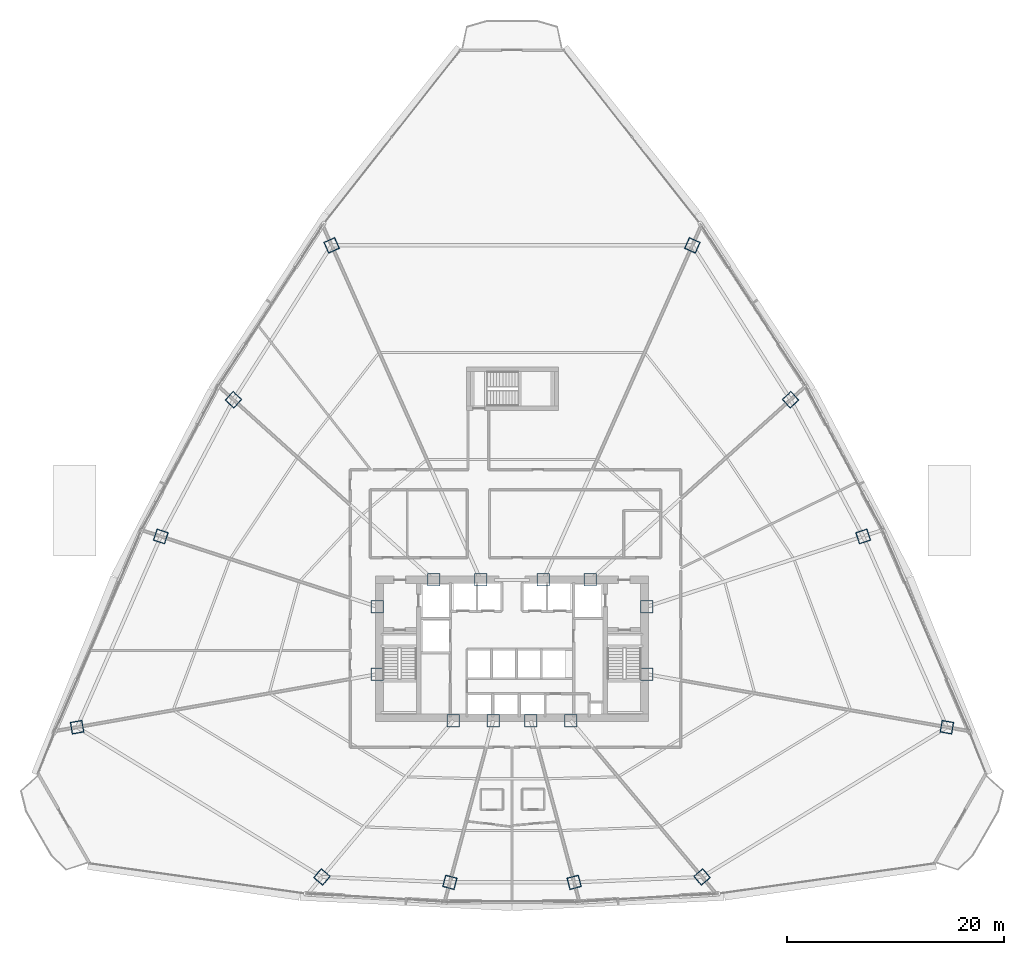
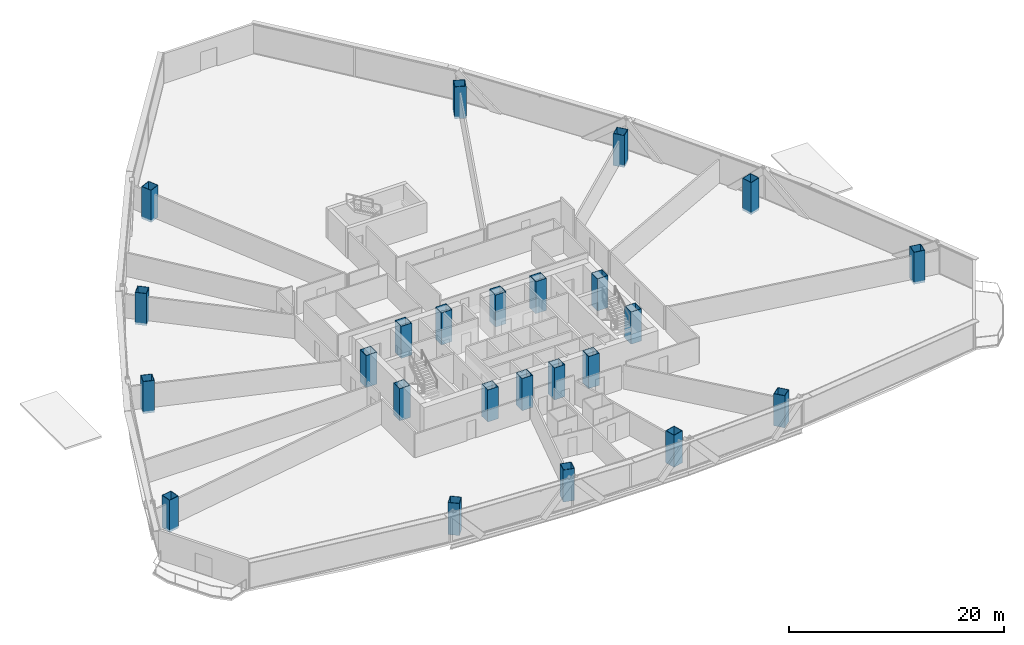
# One storey, part 1 of 38: 24 columns.
"""IFC4 building model written with IfcOpenShell, lengths in metres."""

from ifc_helpers import new_model, si_unit, direction, frame, origin, origin_2d, place, context, subcontext, project, spatial, hollow_rectangle, extrude, source, transform, mapped, material, material_profile, profile_set, type_object, element, save


model = new_model("IFC4")

# Units and contexts
model_context = context("Model", 3, precision=1e-05, world=origin(), true_north=direction((0.0, 1.0)))
body_context = subcontext(model_context, "Body", "Model", "MODEL_VIEW")
ifc_project = project(units=[si_unit("LENGTHUNIT", "METRE"), si_unit("AREAUNIT", "SQUARE_METRE"), si_unit("VOLUMEUNIT", "CUBIC_METRE"), si_unit("PLANEANGLEUNIT", "RADIAN"), si_unit("MASSUNIT", "GRAM", prefix="KILO"), si_unit("THERMODYNAMICTEMPERATUREUNIT", "KELVIN"), si_unit("POWERUNIT", "WATT")], contexts=[model_context])

# Site, building, storey
site_placement = place(None, origin())
site = spatial("IfcSite", under=ifc_project, at=site_placement, CompositionType="ELEMENT")
building_placement = place(site_placement, origin())
building = spatial("IfcBuilding", under=site, at=building_placement, Name="Yunzhuo Pagoda Commons", CompositionType="ELEMENT")
storey_placement = place(building_placement, frame((0.0, 0.0, 30.39990234375)))
storey = spatial("IfcBuildingStorey", under=building, at=storey_placement, Name="L07", CompositionType="ELEMENT", Elevation=30.39990234375)

# Columns
ifc_material = material(Name="Structural steel Q420B", Category="steel")
ifc_material_profile_1 = material_profile(ifc_material, hollow_rectangle(XDim=1.14990234375, YDim=1.14990234375, WallThickness=0.048095703125, at=origin_2d()), Name="Structural steel Q420B")
ifc_profile_set_1 = profile_set([ifc_material_profile_1], Name="Structural steel Q420B")
column_type_1 = type_object("IfcColumnType", Name="C-COR Column BOX 1150x1150x48", PredefinedType="COLUMN", material=ifc_profile_set_1)
shared_shape_1 = source(origin(), body_context, "Body", "SweptSolid", [
    extrude(hollow_rectangle(XDim=1.14990234375, YDim=1.14990234375, WallThickness=0.048095703125, at=origin_2d()), origin(), (0.0, 0.0, 1.0), 3.63037109375),
])
for number, where, z_axis, x_axis, name in (
    (1, (42.587890625, 27.25, -0.260009765625), (0.0, 0.0, 1.0), (1.0, 0.0, 0.0), "L07 core composite column F1C1"),
    (2, (46.27197265625, 27.25, -0.260009765625), (0.0, 0.0, 1.0), (1.0, 0.0, 0.0), "L07 core composite column F1C2"),
    (3, (49.728515625, 27.25, -0.260009765625), (0.0, 0.0, 1.0), (1.0, 0.0, 0.0), "L07 core composite column F1C3"),
    (4, (53.412109375, 27.25, -0.260009765625), (0.0, 0.0, 1.0), (1.0, 0.0, 0.0), "L07 core composite column F1C4"),
    (5, (60.39990234375, 31.513427734375, -0.260009765625), (0.0, 0.0, 1.0), (1.0, 0.0, 0.0), "L07 core composite column F2C1"),
    (6, (60.39990234375, 37.72900390625, -0.260009765625), (0.0, 0.0, 1.0), (1.0, 0.0, 0.0), "L07 core composite column F2C2"),
    (7, (55.218994140625, 40.199951171875, -0.260009765625), (0.0, 0.0, 1.0), (1.0, 0.0, 0.0), "L07 core composite column F2C3"),
    (8, (50.89404296875, 40.199951171875, -0.260009765625), (0.0, 0.0, 1.0), (1.0, 0.0, 0.0), "L07 core composite column F2C4"),
    (9, (45.10595703125, 40.199951171875, -0.260009765625), (0.0, 0.0, 1.0), (1.0, 0.0, 0.0), "L07 core composite column F3C1"),
    (10, (40.781005859375, 40.199951171875, -0.260009765625), (0.0, 0.0, 1.0), (1.0, 0.0, 0.0), "L07 core composite column F3C2"),
    (11, (35.60009765625, 37.72900390625, -0.260009765625), (0.0, 0.0, 1.0), (1.0, 0.0, 0.0), "L07 core composite column F3C3"),
    (12, (35.60009765625, 31.513427734375, -0.260009765625), (0.0, 0.0, 1.0), (1.0, 0.0, 0.0), "L07 core composite column F3C4"),
):
    element("IfcColumn", number, at=place(storey_placement, frame(where, z_axis=z_axis, x_axis=x_axis)), inside=storey, type_object=column_type_1, Name=name, PredefinedType="COLUMN", context=body_context, shape_type="MappedRepresentation", body=[
        mapped(shared_shape_1, transform((0.0, 0.0, 0.0), scale=1.0)),
    ])
ifc_material_profile_2 = material_profile(ifc_material, hollow_rectangle(XDim=1.10009765625, YDim=1.10009765625, WallThickness=0.044921875, at=origin_2d()), Name="Structural steel Q420B")
ifc_profile_set_2 = profile_set([ifc_material_profile_2], Name="Structural steel Q420B")
column_type_2 = type_object("IfcColumnType", Name="C-Z1 Column BOX 1100x1100x45", PredefinedType="COLUMN", material=ifc_profile_set_2)
shared_shape_2 = source(origin(), body_context, "Body", "SweptSolid", [
    extrude(hollow_rectangle(XDim=1.10009765625, YDim=1.10009765625, WallThickness=0.044921875, at=origin_2d()), origin(), (0.0, 0.0, 1.0), 3.63037109375),
])
for number, where, z_axis, x_axis, name in (
    (13, (30.5, 12.844482421875, -0.260009765625), (0.0, 0.0, 1.0), (0.766044443119, -0.642787609687, 0.0), "L07 tower column F1C1"),
    (14, (42.27978515625, 12.35205078125, -0.260009765625), (0.0, 0.0, 1.0), (0.965925826289, -0.258819045103, 0.0), "L07 tower column F1C2"),
    (15, (53.72021484375, 12.35205078125, -0.260009765625), (0.0, 0.0, 1.0), (0.965925826289, 0.258819045103, 0.0), "L07 tower column F1C3"),
    (16, (65.5, 12.844482421875, -0.260009765625), (0.0, 0.0, 1.0), (0.766044443119, 0.642787609687, 0.0), "L07 tower column F1C4"),
    (17, (88.047607421875, 26.638427734375, -0.260009765625), (0.0, 0.0, 1.0), (0.173648177667, 0.984807753012, 0.0), "L07 tower column F2C1"),
    (18, (80.33544921875, 44.206298828125, -0.260009765625), (0.0, 0.0, 1.0), (-0.309016994375, 0.951056516295, 0.0), "L07 tower column F2C2"),
    (19, (73.648681640625, 56.79443359375, -0.260009765625), (0.0, 0.0, 1.0), (-0.669130606359, 0.743144825477, 0.0), "L07 tower column F2C3"),
    (20, (64.61083984375, 71.008544921875, -0.260009765625), (0.0, 0.0, 1.0), (-0.913545457643, 0.406736643076, 0.0), "L07 tower column F2C4"),
    (21, (31.38916015625, 71.008544921875, -0.260009765625), (0.0, 0.0, 1.0), (-0.913545457643, -0.406736643076, 0.0), "L07 tower column F3C1"),
    (22, (22.351318359375, 56.79443359375, -0.260009765625), (0.0, 0.0, 1.0), (-0.669130606359, -0.743144825477, 0.0), "L07 tower column F3C2"),
    (23, (15.66455078125, 44.206298828125, -0.260009765625), (0.0, 0.0, 1.0), (-0.309016994375, -0.951056516295, 0.0), "L07 tower column F3C3"),
    (24, (7.952392578125, 26.638427734375, -0.260009765625), (0.0, 0.0, 1.0), (0.173648177667, -0.984807753012, 0.0), "L07 tower column F3C4"),
):
    element("IfcColumn", number, at=place(storey_placement, frame(where, z_axis=z_axis, x_axis=x_axis)), inside=storey, type_object=column_type_2, Name=name, PredefinedType="COLUMN", context=body_context, shape_type="MappedRepresentation", body=[
        mapped(shared_shape_2, transform((0.0, 0.0, 0.0), scale=1.0)),
    ])

save(model, "model.ifc")
